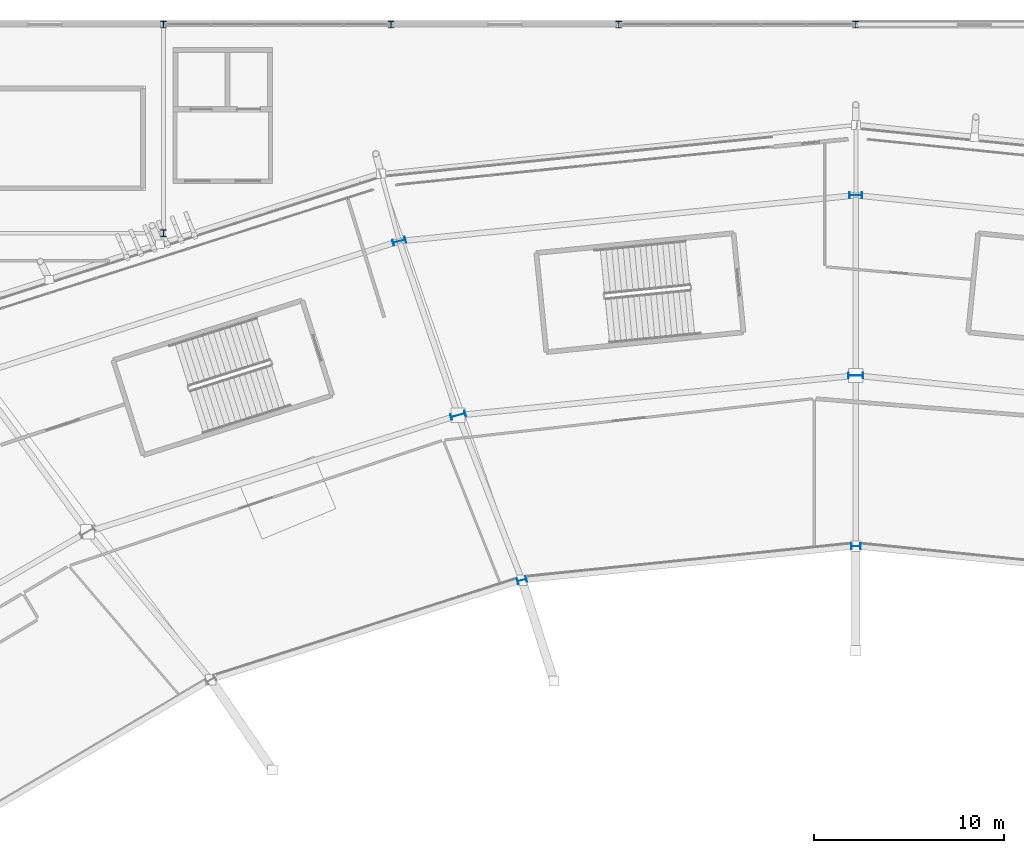
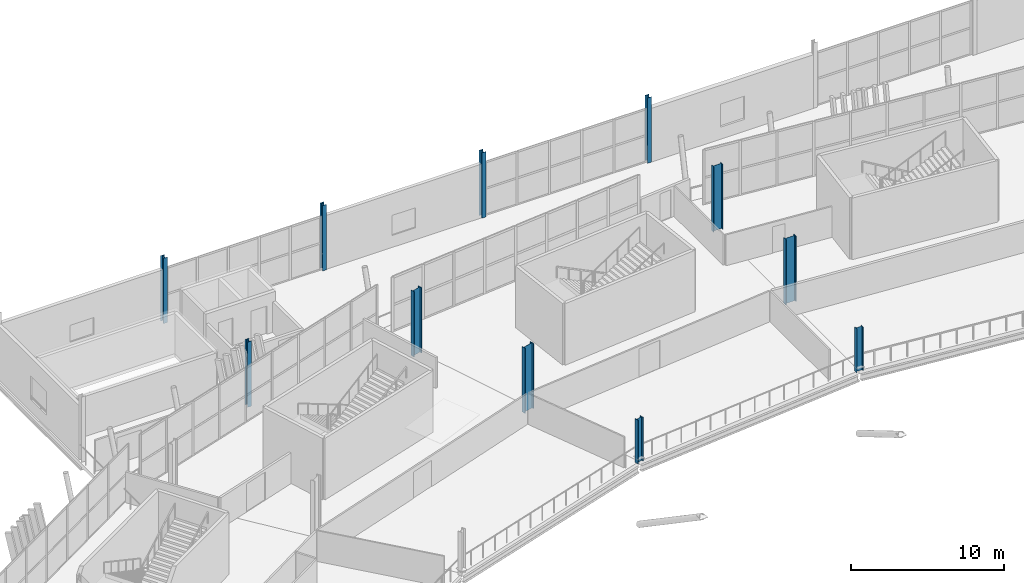
# One storey, part 17 of 168: 11 columns.
"""IFC4 building model written with IfcOpenShell, lengths in metres."""

from ifc_helpers import new_model, si_unit, direction, frame, origin, origin_2d, place, context, subcontext, project, spatial, i_section, extrude, material, material_profile, profile_set, type_object, element, save


model = new_model("IFC4")

# Units and contexts
model_context = context("Model", 3, precision=1e-05, world=origin(), true_north=direction((0.0, 1.0)))
body_context = subcontext(model_context, "Body", "Model", "MODEL_VIEW")
ifc_project = project(units=[si_unit("LENGTHUNIT", "METRE"), si_unit("AREAUNIT", "SQUARE_METRE"), si_unit("VOLUMEUNIT", "CUBIC_METRE"), si_unit("PLANEANGLEUNIT", "RADIAN"), si_unit("MASSUNIT", "GRAM", prefix="KILO")], contexts=[model_context])

# Site, building, storey
site_placement = place(None, origin())
site = spatial("IfcSite", under=ifc_project, at=site_placement, CompositionType="ELEMENT")
building_placement = place(site_placement, origin())
building = spatial("IfcBuilding", under=site, at=building_placement, Name="Zlatoyarsky Gate Stadium", CompositionType="ELEMENT")
storey_placement = place(building_placement, frame((0.0, 0.0, 15.60009765625)))
storey = spatial("IfcBuildingStorey", under=building, at=storey_placement, Name="L03", CompositionType="ELEMENT", Elevation=15.60009765625)

# Columns
ifc_material = material(Name="Steel S355", Category="steel")
ifc_material_profile_1 = material_profile(ifc_material, i_section(OverallWidth=0.300048828125, OverallDepth=0.360107421875, WebThickness=0.012451171875, FlangeThickness=0.0224609375, FilletRadius=0.027099609375, at=origin_2d()), Name="HEB 360")
ifc_profile_set_1 = profile_set([ifc_material_profile_1], Name="Steel S355")
column_type_1 = type_object("IfcColumnType", Name="STEEL COLUMN HEB 360", PredefinedType="COLUMN", material=ifc_profile_set_1)
for number, where, z_axis, x_axis, name in (
    (1, (111.0, 160.0, 0.0), (0.0, 0.0, 1.0), (1.0, 0.0, 0.0), "Column ST-C360 WG-10-Q on L03"),
    (2, (74.5, 149.0, 0.0), (0.0, 0.0, 1.0), (1.0, 0.0, 0.0), "Column ST-C360 WG-7-P on L03"),
    (3, (74.5, 160.0, 0.0), (0.0, 0.0, 1.0), (1.0, 0.0, 0.0), "Column ST-C360 WG-7-Q on L03"),
    (4, (86.5, 160.0, 0.0), (0.0, 0.0, 1.0), (1.0, 0.0, 0.0), "Column ST-C360 WG-8-Q on L03"),
    (5, (98.5, 160.0, 0.0), (0.0, 0.0, 1.0), (1.0, 0.0, 0.0), "Column ST-C360 WG-9-Q on L03"),
):
    element("IfcColumn", number, at=place(storey_placement, frame(where, z_axis=z_axis, x_axis=x_axis)), inside=storey, type_object=column_type_1, Name=name, PredefinedType="COLUMN", context=body_context, shape_type="SweptSolid", body=[
        extrude(i_section(OverallWidth=0.300048828125, OverallDepth=0.360107421875, WebThickness=0.012451171875, FlangeThickness=0.0224609375, FilletRadius=0.027099609375, at=origin_2d()), origin(), (0.0, 0.0, 1.0), 5.199951171875),
    ])
ifc_material_profile_2 = material_profile(ifc_material, i_section(OverallWidth=0.300048828125, OverallDepth=0.5, WebThickness=0.014404296875, FlangeThickness=0.028076171875, FilletRadius=0.027099609375, at=origin_2d()), Name="HEB 500")
ifc_profile_set_2 = profile_set([ifc_material_profile_2], Name="Steel S355")
column_type_2 = type_object("IfcColumnType", Name="STEEL COLUMN HEB 500", PredefinedType="COLUMN", material=ifc_profile_set_2)
for number, where, z_axis, x_axis, name in (
    (6, (111.0, 132.5, 0.0), (0.0, 0.0, 1.0), (0.0, 1.0, 0.0), "Column ST-C500 RA-06 on L03"),
    (7, (93.400390625, 130.711181640625, 0.0), (0.0, 0.0, 1.0), (-0.258819045103, 0.965925826289, 0.0), "Column ST-C500 RA-07 on L03"),
):
    element("IfcColumn", number, at=place(storey_placement, frame(where, z_axis=z_axis, x_axis=x_axis)), inside=storey, type_object=column_type_2, Name=name, PredefinedType="COLUMN", context=body_context, shape_type="SweptSolid", body=[
        extrude(i_section(OverallWidth=0.300048828125, OverallDepth=0.5, WebThickness=0.014404296875, FlangeThickness=0.028076171875, FilletRadius=0.027099609375, at=origin_2d()), origin(), (0.0, 0.0, 1.0), 3.47998046875),
    ])
ifc_material_profile_3 = material_profile(ifc_material, i_section(OverallWidth=0.300048828125, OverallDepth=0.699951171875, WebThickness=0.01708984375, FlangeThickness=0.031982421875, FilletRadius=0.027099609375, at=origin_2d()), Name="HEB 700")
ifc_profile_set_3 = profile_set([ifc_material_profile_3], Name="Steel S355")
column_type_3 = type_object("IfcColumnType", Name="STEEL COLUMN HEB 700", PredefinedType="COLUMN", material=ifc_profile_set_3)
for number, where, z_axis, x_axis, name in (
    (8, (111.0, 151.0, 0.0), (0.0, 0.0, 1.0), (0.0, 1.0, 0.0), "Column ST-C700 RC-06 on L03"),
    (9, (86.9296875, 148.580810546875, 0.0), (0.0, 0.0, 1.0), (-0.258819045103, 0.965925826289, 0.0), "Column ST-C700 RC-07 on L03"),
):
    element("IfcColumn", number, at=place(storey_placement, frame(where, z_axis=z_axis, x_axis=x_axis)), inside=storey, type_object=column_type_3, Name=name, PredefinedType="COLUMN", context=body_context, shape_type="SweptSolid", body=[
        extrude(i_section(OverallWidth=0.300048828125, OverallDepth=0.699951171875, WebThickness=0.01708984375, FlangeThickness=0.031982421875, FilletRadius=0.027099609375, at=origin_2d()), origin(), (0.0, 0.0, 1.0), 5.199951171875),
    ])
ifc_material_profile_4 = material_profile(ifc_material, i_section(OverallWidth=0.300048828125, OverallDepth=0.800048828125, WebThickness=0.017578125, FlangeThickness=0.032958984375, FilletRadius=0.030029296875, at=origin_2d()), Name="HEB 800")
ifc_profile_set_4 = profile_set([ifc_material_profile_4], Name="Steel S355")
column_type_4 = type_object("IfcColumnType", Name="STEEL COLUMN HEB 800", PredefinedType="COLUMN", material=ifc_profile_set_4)
for number, where, z_axis, x_axis, name in (
    (10, (111.0, 141.5, 0.0), (0.0, 0.0, 1.0), (0.0, 1.0, 0.0), "Column ST-C800 RB-06 on L03"),
    (11, (90.03564453125, 139.404296875, 0.0), (0.0, 0.0, 1.0), (-0.258819045103, 0.965925826289, 0.0), "Column ST-C800 RB-07 on L03"),
):
    element("IfcColumn", number, at=place(storey_placement, frame(where, z_axis=z_axis, x_axis=x_axis)), inside=storey, type_object=column_type_4, Name=name, PredefinedType="COLUMN", context=body_context, shape_type="SweptSolid", body=[
        extrude(i_section(OverallWidth=0.300048828125, OverallDepth=0.800048828125, WebThickness=0.017578125, FlangeThickness=0.032958984375, FilletRadius=0.030029296875, at=origin_2d()), origin(), (0.0, 0.0, 1.0), 5.199951171875),
    ])

save(model, "model.ifc")
